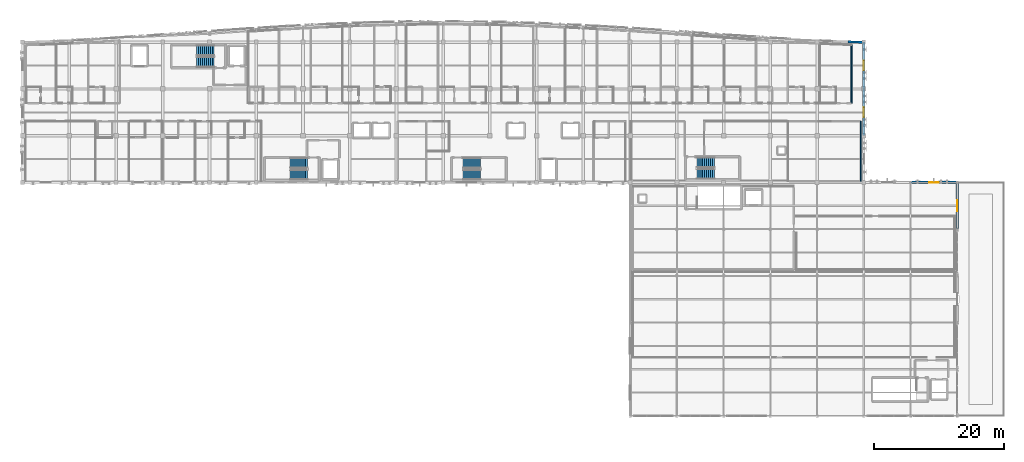
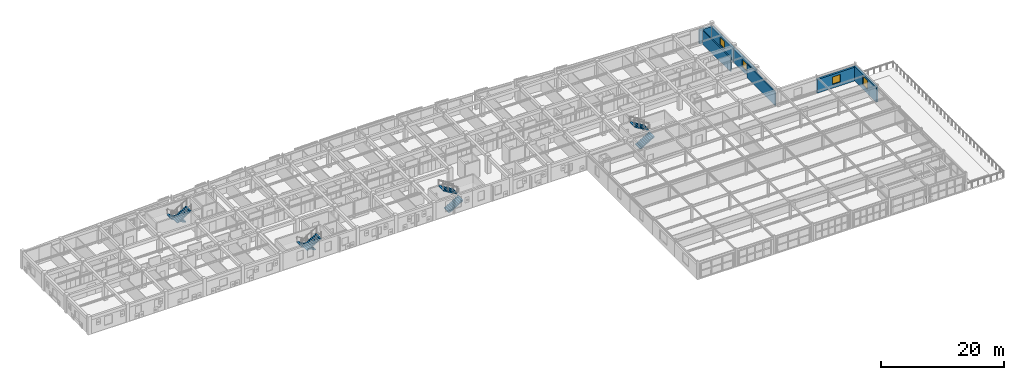
# One storey, part 67 of 73: 8 stair flights, 7 walls, 4 windows, 4 openings, 4 elements without a shape of their own.
"""IFC4 building model written with IfcOpenShell, lengths in metres."""

from ifc_helpers import new_model, si_unit, direction, frame, frame_2d, origin, place, context, subcontext, project, spatial, polyline, rectangle, outline, extrude, material, layer, layer_set, type_object, element, fill, aggregate, save


model = new_model("IFC4")

# Units and contexts
model_context = context("Model", 3, precision=1e-05, world=origin(), true_north=direction((0.0, 1.0)))
body_context = subcontext(model_context, "Body", "Model", "MODEL_VIEW")
ifc_project = project(units=[si_unit("LENGTHUNIT", "METRE"), si_unit("AREAUNIT", "SQUARE_METRE"), si_unit("VOLUMEUNIT", "CUBIC_METRE"), si_unit("PLANEANGLEUNIT", "RADIAN"), si_unit("MASSUNIT", "GRAM", prefix="KILO")], contexts=[model_context])

# Site, building, storey
site_placement = place(None, origin())
site = spatial("IfcSite", under=ifc_project, at=site_placement, CompositionType="ELEMENT")
building_placement = place(site_placement, origin())
building = spatial("IfcBuilding", under=site, at=building_placement, Name="Carrowvane Square Congress Hotel", CompositionType="ELEMENT")
storey_placement = place(building_placement, frame((0.0, 0.0, 19.199951171875)))
storey = spatial("IfcBuildingStorey", under=building, at=storey_placement, Name="L04", CompositionType="ELEMENT", Elevation=19.199951171875)

# Wall
ifc_material_1 = material(Name="Glazed terracotta rainscreen", Category="masonry")
ifc_layer_1 = layer(ifc_material_1, 0.360107421875)
ifc_layer_set_1 = layer_set([ifc_layer_1], Name="Glazed terracotta rainscreen")
wall_type_1 = type_object("IfcWallType", Name="WL-EXT-TC360", PredefinedType="STANDARD", material=ifc_layer_set_1)
wall_1_placement = place(storey_placement, frame((160.39990234375, 113.45166015625, 0.0), z_axis=(0.0, 0.0, 1.0), x_axis=(0.999767568547, -0.021559426766, 0.0)))
element("IfcWall", 1, at=wall_1_placement, inside=storey, type_object=wall_type_1, Name="L04 exterior facade wall 425", PredefinedType="STANDARD", context=body_context, shape_type="SweptSolid", body=[
    extrude(rectangle(XDim=2.400634765625, YDim=0.360107421875, at=frame_2d((1.2001953125, 0.0))), origin(), (0.0, 0.0, 1.0), 2.735107421875),
])

# Wall, opening, window
wall_2_placement = place(storey_placement, frame((162.800048828125, 113.39990234375, 0.0), z_axis=(0.0, 0.0, 1.0), x_axis=(0.0, -1.0, 0.0)))
wall_2 = element("IfcWall", 2, at=wall_2_placement, inside=storey, type_object=wall_type_1, Name="L04 exterior facade wall 426", PredefinedType="STANDARD", context=body_context, shape_type="SweptSolid", body=[
    extrude(rectangle(XDim=7.199951171875, YDim=0.360107421875, at=frame_2d((3.60009765625, 0.0))), origin(), (0.0, 0.0, 1.0), 2.68505859375),
])
opening_1_placement = place(wall_2_placement, frame((2.85009765625, 0.0, 0.75)))
opening_1 = element("IfcOpeningElement", 3, at=opening_1_placement, cuts=wall_2, Name="Opening W-15", PredefinedType="OPENING", context=body_context, shape_type="SweptSolid", body=[
    extrude(rectangle(XDim=1.5, YDim=1.5, at=frame_2d((0.75, 0.75))), frame((0.0, 0.18994140625, 0.0), z_axis=(0.0, -1.0, 0.0), x_axis=(1.0, 0.0, 0.0)), (0.0, 0.0, 1.0), 0.380126953125),
])
ifc_material_2 = material(Name="Double-glazed low-E glass", Category="glass")
window_type_1 = type_object("IfcWindowType", Name="WIN-15", PartitioningType="SINGLE_PANEL", PredefinedType="WINDOW", material=ifc_material_2)
window_1_placement = place(opening_1_placement, origin())
window_1 = element("IfcWindow", 4, at=window_1_placement, inside=storey, type_object=window_type_1, Name="L04 facade window 254", OverallHeight=1.5, OverallWidth=1.5, PartitioningType="SINGLE_PANEL", PredefinedType="WINDOW", context=body_context, shape_type="SweptSolid", body=[
    extrude(rectangle(XDim=1.5, YDim=1.5, at=frame_2d((0.75, 0.75))), frame((0.0, 0.030029296875, 0.0), z_axis=(0.0, -1.0, 0.0), x_axis=(1.0, 0.0, 0.0)), (0.0, 0.0, 1.0), 0.06005859375),
])
fill(opening_1, window_1)

wall_3_placement = place(storey_placement, frame((162.800048828125, 106.199951171875, 0.0), z_axis=(0.0, 0.0, 1.0), x_axis=(0.0, -1.0, 0.0)))
wall_3 = element("IfcWall", 5, at=wall_3_placement, inside=storey, type_object=wall_type_1, Name="L04 exterior facade wall 427", PredefinedType="STANDARD", context=body_context, shape_type="SweptSolid", body=[
    extrude(rectangle(XDim=7.199951171875, YDim=0.360107421875, at=frame_2d((3.60009765625, 0.0))), origin(), (0.0, 0.0, 1.0), 2.68505859375),
])
opening_2_placement = place(wall_3_placement, frame((2.85009765625, 0.0, 0.75)))
opening_2 = element("IfcOpeningElement", 6, at=opening_2_placement, cuts=wall_3, Name="Opening W-15", PredefinedType="OPENING", context=body_context, shape_type="SweptSolid", body=[
    extrude(rectangle(XDim=1.5, YDim=1.5, at=frame_2d((0.75, 0.75))), frame((0.0, 0.18994140625, 0.0), z_axis=(0.0, -1.0, 0.0), x_axis=(1.0, 0.0, 0.0)), (0.0, 0.0, 1.0), 0.380126953125),
])
window_2_placement = place(opening_2_placement, origin())
window_2 = element("IfcWindow", 7, at=window_2_placement, inside=storey, type_object=window_type_1, Name="L04 facade window 255", OverallHeight=1.5, OverallWidth=1.5, PartitioningType="SINGLE_PANEL", PredefinedType="WINDOW", context=body_context, shape_type="SweptSolid", body=[
    extrude(rectangle(XDim=1.5, YDim=1.5, at=frame_2d((0.75, 0.75))), frame((0.0, 0.030029296875, 0.0), z_axis=(0.0, -1.0, 0.0), x_axis=(1.0, 0.0, 0.0)), (0.0, 0.0, 1.0), 0.06005859375),
])
fill(opening_2, window_2)

wall_4_placement = place(storey_placement, frame((170.0, 91.800048828125, 0.0), z_axis=(0.0, 0.0, 1.0), x_axis=(1.0, 0.0, 0.0)))
wall_4 = element("IfcWall", 8, at=wall_4_placement, inside=storey, type_object=wall_type_1, Name="L04 exterior facade wall 430", PredefinedType="STANDARD", context=body_context, shape_type="SweptSolid", body=[
    extrude(rectangle(XDim=7.199951171875, YDim=0.360107421875, at=frame_2d((3.60009765625, 0.0))), origin(), (0.0, 0.0, 1.0), 2.735107421875),
])
opening_3_placement = place(wall_4_placement, frame((2.85009765625, 0.0, 0.75)))
opening_3 = element("IfcOpeningElement", 9, at=opening_3_placement, cuts=wall_4, Name="Opening W-15", PredefinedType="OPENING", context=body_context, shape_type="SweptSolid", body=[
    extrude(rectangle(XDim=1.5, YDim=1.5, at=frame_2d((0.75, 0.75))), frame((0.0, 0.18994140625, 0.0), z_axis=(0.0, -1.0, 0.0), x_axis=(1.0, 0.0, 0.0)), (0.0, 0.0, 1.0), 0.380126953125),
])
window_3_placement = place(opening_3_placement, origin())
window_3 = element("IfcWindow", 10, at=window_3_placement, inside=storey, type_object=window_type_1, Name="L04 facade window 258", OverallHeight=1.5, OverallWidth=1.5, PartitioningType="SINGLE_PANEL", PredefinedType="WINDOW", context=body_context, shape_type="SweptSolid", body=[
    extrude(rectangle(XDim=1.5, YDim=1.5, at=frame_2d((0.75, 0.75))), frame((0.0, 0.030029296875, 0.0), z_axis=(0.0, -1.0, 0.0), x_axis=(1.0, 0.0, 0.0)), (0.0, 0.0, 1.0), 0.06005859375),
])
fill(opening_3, window_3)

wall_5_placement = place(storey_placement, frame((177.199951171875, 91.800048828125, 0.0), z_axis=(0.0, 0.0, 1.0), x_axis=(0.0, -1.0, 0.0)))
wall_5 = element("IfcWall", 11, at=wall_5_placement, inside=storey, type_object=wall_type_1, Name="L04 exterior facade wall 431", PredefinedType="STANDARD", context=body_context, shape_type="SweptSolid", body=[
    extrude(rectangle(XDim=7.199951171875, YDim=0.360107421875, at=frame_2d((3.60009765625, 0.0))), origin(), (0.0, 0.0, 1.0), 2.925537109375),
])
opening_4_placement = place(wall_5_placement, frame((2.77490234375, 0.0, 0.75)))
opening_4 = element("IfcOpeningElement", 12, at=opening_4_placement, cuts=wall_5, Name="Opening W-04", PredefinedType="OPENING", context=body_context, shape_type="SweptSolid", body=[
    extrude(rectangle(XDim=1.64990234375, YDim=1.800048828125, at=frame_2d((0.824951171875, 0.89990234375))), frame((0.0, 0.18994140625, 0.0), z_axis=(0.0, -1.0, 0.0), x_axis=(1.0, 0.0, 0.0)), (0.0, 0.0, 1.0), 0.380126953125),
])
ifc_material_3 = material(Name="Double-glazed low-E glass", Category="glass")
window_type_2 = type_object("IfcWindowType", Name="WIN-04", PartitioningType="SINGLE_PANEL", PredefinedType="WINDOW", material=ifc_material_3)
window_4_placement = place(opening_4_placement, origin())
window_4 = element("IfcWindow", 13, at=window_4_placement, inside=storey, type_object=window_type_2, Name="L04 facade window 259", OverallHeight=1.800048828125, OverallWidth=1.64990234375, PartitioningType="SINGLE_PANEL", PredefinedType="WINDOW", context=body_context, shape_type="SweptSolid", body=[
    extrude(rectangle(XDim=1.64990234375, YDim=1.800048828125, at=frame_2d((0.824951171875, 0.89990234375))), frame((0.0, 0.030029296875, 0.0), z_axis=(0.0, -1.0, 0.0), x_axis=(1.0, 0.0, 0.0)), (0.0, 0.0, 1.0), 0.06005859375),
])
fill(opening_4, window_4)

# Walls
ifc_material_4 = material(Name="Acoustic gypsum board", Category="gypsum")
ifc_layer_2 = layer(ifc_material_4, 0.169921875)
ifc_layer_set_2 = layer_set([ifc_layer_2], Name="Acoustic gypsum board")
wall_type_2 = type_object("IfcWallType", Name="WL-FIR-170", PredefinedType="PARTITIONING", material=ifc_layer_set_2)
wall_6_placement = place(storey_placement, frame((162.35009765625, 101.199951171875, 0.0), z_axis=(0.0, 0.0, 1.0), x_axis=(0.0, -1.0, 0.0)))
element("IfcWall", 14, at=wall_6_placement, inside=storey, type_object=wall_type_2, Name="L04 L04 East Executive Club Lounge partition", PredefinedType="PARTITIONING", context=body_context, shape_type="SweptSolid", body=[
    extrude(rectangle(XDim=9.239990234375, YDim=0.169921875, at=frame_2d((4.6201171875, 0.0))), origin(), (0.0, 0.0, 1.0), 2.735107421875),
])
ifc_material_5 = material(Name="Acoustic gypsum board", Category="gypsum")
ifc_layer_3 = layer(ifc_material_5, 0.18505859375)
ifc_layer_set_3 = layer_set([ifc_layer_3], Name="Acoustic gypsum board")
wall_type_3 = type_object("IfcWallType", Name="WL-FIR-185", PredefinedType="PARTITIONING", material=ifc_layer_set_3)
wall_7_placement = place(storey_placement, frame((160.889892578125, 112.9912109375, 0.0), z_axis=(0.0, 0.0, 1.0), x_axis=(0.0, -1.0, 0.0)))
element("IfcWall", 15, at=wall_7_placement, inside=storey, type_object=wall_type_3, Name="L04 Parkview Guest Bedroom 0428 partition", PredefinedType="PARTITIONING", context=body_context, shape_type="SweptSolid", body=[
    extrude(rectangle(XDim=8.9912109375, YDim=0.18505859375, at=frame_2d((4.49560546875, 0.0))), origin(), (0.0, 0.0, 1.0), 2.735107421875),
])

# Stair, stair flights
ifc_material_6 = material(Name="Concrete C35/45", Category="concrete")
stair_type = type_object("IfcStairType", Name="STR-DOG-02", PredefinedType="HALF_TURN_STAIR", material=ifc_material_6)
stair_1_placement = place(storey_placement, origin())
stair_1 = element("IfcStair", 16, at=stair_1_placement, inside=storey, type_object=stair_type, Name="L04 Core C1 West Hotel Firefighting Stair", PredefinedType="HALF_TURN_STAIR")
ifc_material_7 = material(Name="Concrete C35/45", Category="concrete")
stair_flight_type = type_object("IfcStairFlightType", Name="SFL-STR-02", PredefinedType="STRAIGHT", material=ifc_material_7)
stair_flight_1_placement = place(storey_placement, frame((62.719970703125, 112.110107421875, 0.0), z_axis=(0.0, 0.0, 1.0), x_axis=(-1.0, 0.0, 0.0)))
stair_flight_1 = element("IfcStairFlight", 17, at=stair_flight_1_placement, type_object=stair_flight_type, Name="ST1 flight 1", NumberOfRisers=10, NumberOfTreads=9, PredefinedType="STRAIGHT", RiserHeight=0.18, TreadLength=0.3, context=body_context, shape_type="SweptSolid", body=[
    extrude(outline(polyline([(0.0, 0.0), (0.0, 0.179931640625), (0.300048828125, 0.179931640625), (0.300048828125, 0.360107421875), (0.60009765625, 0.360107421875), (0.60009765625, 0.5400390625), (0.89990234375, 0.5400390625), (0.89990234375, 0.719970703125), (1.199951171875, 0.719970703125), (1.199951171875, 0.89990234375), (1.5, 0.89990234375), (1.5, 1.080078125), (1.800048828125, 1.080078125), (1.800048828125, 1.260009765625), (2.10009765625, 1.260009765625), (2.10009765625, 1.43994140625), (2.39990234375, 1.43994140625), (2.39990234375, 1.6201171875), (2.699951171875, 1.6201171875), (2.699951171875, 1.800048828125), (2.699951171875, 1.445068359375), (0.291259765625, 0.0), (0.0, 0.0)])), frame((0.0, 0.7900390625, 0.0), z_axis=(0.0, -1.0, 0.0), x_axis=(1.0, 0.0, 0.0)), (0.0, 0.0, 1.0), 1.580078125),
])
stair_flight_2_placement = place(storey_placement, frame((60.02001953125, 110.330078125, 1.800048828125), z_axis=(0.0, 0.0, 1.0), x_axis=(1.0, 0.0, 0.0)))
stair_flight_2 = element("IfcStairFlight", 18, at=stair_flight_2_placement, type_object=stair_flight_type, Name="ST1 flight 2", NumberOfRisers=10, NumberOfTreads=9, PredefinedType="STRAIGHT", RiserHeight=0.18, TreadLength=0.3, context=body_context, shape_type="SweptSolid", body=[
    extrude(outline(polyline([(0.0, 0.0), (0.0, 0.179931640625), (0.300048828125, 0.179931640625), (0.300048828125, 0.360107421875), (0.60009765625, 0.360107421875), (0.60009765625, 0.5400390625), (0.89990234375, 0.5400390625), (0.89990234375, 0.719970703125), (1.199951171875, 0.719970703125), (1.199951171875, 0.89990234375), (1.5, 0.89990234375), (1.5, 1.080078125), (1.800048828125, 1.080078125), (1.800048828125, 1.260009765625), (2.10009765625, 1.260009765625), (2.10009765625, 1.43994140625), (2.39990234375, 1.43994140625), (2.39990234375, 1.6201171875), (2.699951171875, 1.6201171875), (2.699951171875, 1.800048828125), (2.699951171875, 1.445068359375), (0.291259765625, 0.0), (0.0, 0.0)])), frame((0.0, 0.7900390625, 0.0), z_axis=(0.0, -1.0, 0.0), x_axis=(1.0, 0.0, 0.0)), (0.0, 0.0, 1.0), 1.580078125),
])
aggregate(stair_1, [stair_flight_1, stair_flight_2])

stair_2_placement = place(storey_placement, origin())
stair_2 = element("IfcStair", 19, at=stair_2_placement, inside=storey, type_object=stair_type, Name="L04 Core C2 Central Hotel Firefighting Stair", PredefinedType="HALF_TURN_STAIR")
stair_flight_3_placement = place(storey_placement, frame((77.1201171875, 94.77001953125, 0.0), z_axis=(0.0, 0.0, 1.0), x_axis=(-1.0, 0.0, 0.0)))
stair_flight_3 = element("IfcStairFlight", 20, at=stair_flight_3_placement, type_object=stair_flight_type, Name="ST2 flight 1", NumberOfRisers=10, NumberOfTreads=9, PredefinedType="STRAIGHT", RiserHeight=0.18, TreadLength=0.3, context=body_context, shape_type="SweptSolid", body=[
    extrude(outline(polyline([(0.0, 0.0), (0.0, 0.179931640625), (0.300048828125, 0.179931640625), (0.300048828125, 0.360107421875), (0.60009765625, 0.360107421875), (0.60009765625, 0.5400390625), (0.89990234375, 0.5400390625), (0.89990234375, 0.719970703125), (1.199951171875, 0.719970703125), (1.199951171875, 0.89990234375), (1.5, 0.89990234375), (1.5, 1.080078125), (1.800048828125, 1.080078125), (1.800048828125, 1.260009765625), (2.10009765625, 1.260009765625), (2.10009765625, 1.43994140625), (2.39990234375, 1.43994140625), (2.39990234375, 1.6201171875), (2.699951171875, 1.6201171875), (2.699951171875, 1.800048828125), (2.699951171875, 1.445068359375), (0.291259765625, 0.0), (0.0, 0.0)])), frame((0.0, 0.7900390625, 0.0), z_axis=(0.0, -1.0, 0.0), x_axis=(1.0, 0.0, 0.0)), (0.0, 0.0, 1.0), 1.580078125),
])
stair_flight_4_placement = place(storey_placement, frame((74.419921875, 92.989990234375, 1.800048828125), z_axis=(0.0, 0.0, 1.0), x_axis=(1.0, 0.0, 0.0)))
stair_flight_4 = element("IfcStairFlight", 21, at=stair_flight_4_placement, type_object=stair_flight_type, Name="ST2 flight 2", NumberOfRisers=10, NumberOfTreads=9, PredefinedType="STRAIGHT", RiserHeight=0.18, TreadLength=0.3, context=body_context, shape_type="SweptSolid", body=[
    extrude(outline(polyline([(0.0, 0.0), (0.0, 0.179931640625), (0.300048828125, 0.179931640625), (0.300048828125, 0.360107421875), (0.60009765625, 0.360107421875), (0.60009765625, 0.5400390625), (0.89990234375, 0.5400390625), (0.89990234375, 0.719970703125), (1.199951171875, 0.719970703125), (1.199951171875, 0.89990234375), (1.5, 0.89990234375), (1.5, 1.080078125), (1.800048828125, 1.080078125), (1.800048828125, 1.260009765625), (2.10009765625, 1.260009765625), (2.10009765625, 1.43994140625), (2.39990234375, 1.43994140625), (2.39990234375, 1.6201171875), (2.699951171875, 1.6201171875), (2.699951171875, 1.800048828125), (2.699951171875, 1.445068359375), (0.291259765625, 0.0), (0.0, 0.0)])), frame((0.0, 0.7900390625, 0.0), z_axis=(0.0, -1.0, 0.0), x_axis=(1.0, 0.0, 0.0)), (0.0, 0.0, 1.0), 1.580078125),
])
aggregate(stair_2, [stair_flight_3, stair_flight_4])

stair_3_placement = place(storey_placement, origin())
stair_3 = element("IfcStair", 22, at=stair_3_placement, inside=storey, type_object=stair_type, Name="L04 Core C3 East Hotel Escape Stair", PredefinedType="HALF_TURN_STAIR")
stair_flight_5_placement = place(storey_placement, frame((101.080078125, 92.989990234375, 0.0), z_axis=(0.0, 0.0, 1.0), x_axis=(1.0, 0.0, 0.0)))
stair_flight_5 = element("IfcStairFlight", 23, at=stair_flight_5_placement, type_object=stair_flight_type, Name="ST3 flight 1", NumberOfRisers=10, NumberOfTreads=9, PredefinedType="STRAIGHT", RiserHeight=0.18, TreadLength=0.3, context=body_context, shape_type="SweptSolid", body=[
    extrude(outline(polyline([(0.0, 0.0), (0.0, 0.179931640625), (0.300048828125, 0.179931640625), (0.300048828125, 0.360107421875), (0.60009765625, 0.360107421875), (0.60009765625, 0.5400390625), (0.89990234375, 0.5400390625), (0.89990234375, 0.719970703125), (1.199951171875, 0.719970703125), (1.199951171875, 0.89990234375), (1.5, 0.89990234375), (1.5, 1.080078125), (1.800048828125, 1.080078125), (1.800048828125, 1.260009765625), (2.10009765625, 1.260009765625), (2.10009765625, 1.43994140625), (2.39990234375, 1.43994140625), (2.39990234375, 1.6201171875), (2.699951171875, 1.6201171875), (2.699951171875, 1.800048828125), (2.699951171875, 1.445068359375), (0.291259765625, 0.0), (0.0, 0.0)])), frame((0.0, 0.7900390625, 0.0), z_axis=(0.0, -1.0, 0.0), x_axis=(1.0, 0.0, 0.0)), (0.0, 0.0, 1.0), 1.580078125),
])
stair_flight_6_placement = place(storey_placement, frame((103.780029296875, 94.77001953125, 1.800048828125), z_axis=(0.0, 0.0, 1.0), x_axis=(-1.0, 0.0, 0.0)))
stair_flight_6 = element("IfcStairFlight", 24, at=stair_flight_6_placement, type_object=stair_flight_type, Name="ST3 flight 2", NumberOfRisers=10, NumberOfTreads=9, PredefinedType="STRAIGHT", RiserHeight=0.18, TreadLength=0.3, context=body_context, shape_type="SweptSolid", body=[
    extrude(outline(polyline([(0.0, 0.0), (0.0, 0.179931640625), (0.300048828125, 0.179931640625), (0.300048828125, 0.360107421875), (0.60009765625, 0.360107421875), (0.60009765625, 0.5400390625), (0.89990234375, 0.5400390625), (0.89990234375, 0.719970703125), (1.199951171875, 0.719970703125), (1.199951171875, 0.89990234375), (1.5, 0.89990234375), (1.5, 1.080078125), (1.800048828125, 1.080078125), (1.800048828125, 1.260009765625), (2.10009765625, 1.260009765625), (2.10009765625, 1.43994140625), (2.39990234375, 1.43994140625), (2.39990234375, 1.6201171875), (2.699951171875, 1.6201171875), (2.699951171875, 1.800048828125), (2.699951171875, 1.445068359375), (0.291259765625, 0.0), (0.0, 0.0)])), frame((0.0, 0.7900390625, 0.0), z_axis=(0.0, -1.0, 0.0), x_axis=(1.0, 0.0, 0.0)), (0.0, 0.0, 1.0), 1.580078125),
])
aggregate(stair_3, [stair_flight_5, stair_flight_6])

stair_4_placement = place(storey_placement, origin())
stair_4 = element("IfcStair", 25, at=stair_4_placement, inside=storey, type_object=stair_type, Name="L04 East Hotel Wing Escape Stair", PredefinedType="HALF_TURN_STAIR")
stair_flight_7_placement = place(storey_placement, frame((137.080078125, 93.090087890625, 0.0), z_axis=(0.0, 0.0, 1.0), x_axis=(1.0, 0.0, 0.0)))
stair_flight_7 = element("IfcStairFlight", 26, at=stair_flight_7_placement, type_object=stair_flight_type, Name="ST12 flight 1", NumberOfRisers=10, NumberOfTreads=9, PredefinedType="STRAIGHT", RiserHeight=0.18, TreadLength=0.3, context=body_context, shape_type="SweptSolid", body=[
    extrude(outline(polyline([(0.0, 0.0), (0.0, 0.179931640625), (0.300048828125, 0.179931640625), (0.300048828125, 0.360107421875), (0.60009765625, 0.360107421875), (0.60009765625, 0.5400390625), (0.89990234375, 0.5400390625), (0.89990234375, 0.719970703125), (1.199951171875, 0.719970703125), (1.199951171875, 0.89990234375), (1.5, 0.89990234375), (1.5, 1.080078125), (1.800048828125, 1.080078125), (1.800048828125, 1.260009765625), (2.10009765625, 1.260009765625), (2.10009765625, 1.43994140625), (2.39990234375, 1.43994140625), (2.39990234375, 1.6201171875), (2.699951171875, 1.6201171875), (2.699951171875, 1.800048828125), (2.699951171875, 1.445068359375), (0.291259765625, 0.0), (0.0, 0.0)])), frame((0.0, 0.7900390625, 0.0), z_axis=(0.0, -1.0, 0.0), x_axis=(1.0, 0.0, 0.0)), (0.0, 0.0, 1.0), 1.580078125),
])
stair_flight_8_placement = place(storey_placement, frame((139.780029296875, 94.8701171875, 1.800048828125), z_axis=(0.0, 0.0, 1.0), x_axis=(-1.0, 0.0, 0.0)))
stair_flight_8 = element("IfcStairFlight", 27, at=stair_flight_8_placement, type_object=stair_flight_type, Name="ST12 flight 2", NumberOfRisers=10, NumberOfTreads=9, PredefinedType="STRAIGHT", RiserHeight=0.18, TreadLength=0.3, context=body_context, shape_type="SweptSolid", body=[
    extrude(outline(polyline([(0.0, 0.0), (0.0, 0.179931640625), (0.300048828125, 0.179931640625), (0.300048828125, 0.360107421875), (0.60009765625, 0.360107421875), (0.60009765625, 0.5400390625), (0.89990234375, 0.5400390625), (0.89990234375, 0.719970703125), (1.199951171875, 0.719970703125), (1.199951171875, 0.89990234375), (1.5, 0.89990234375), (1.5, 1.080078125), (1.800048828125, 1.080078125), (1.800048828125, 1.260009765625), (2.10009765625, 1.260009765625), (2.10009765625, 1.43994140625), (2.39990234375, 1.43994140625), (2.39990234375, 1.6201171875), (2.699951171875, 1.6201171875), (2.699951171875, 1.800048828125), (2.699951171875, 1.445068359375), (0.291259765625, 0.0), (0.0, 0.0)])), frame((0.0, 0.7900390625, 0.0), z_axis=(0.0, -1.0, 0.0), x_axis=(1.0, 0.0, 0.0)), (0.0, 0.0, 1.0), 1.580078125),
])
aggregate(stair_4, [stair_flight_7, stair_flight_8])

save(model, "model.ifc")
